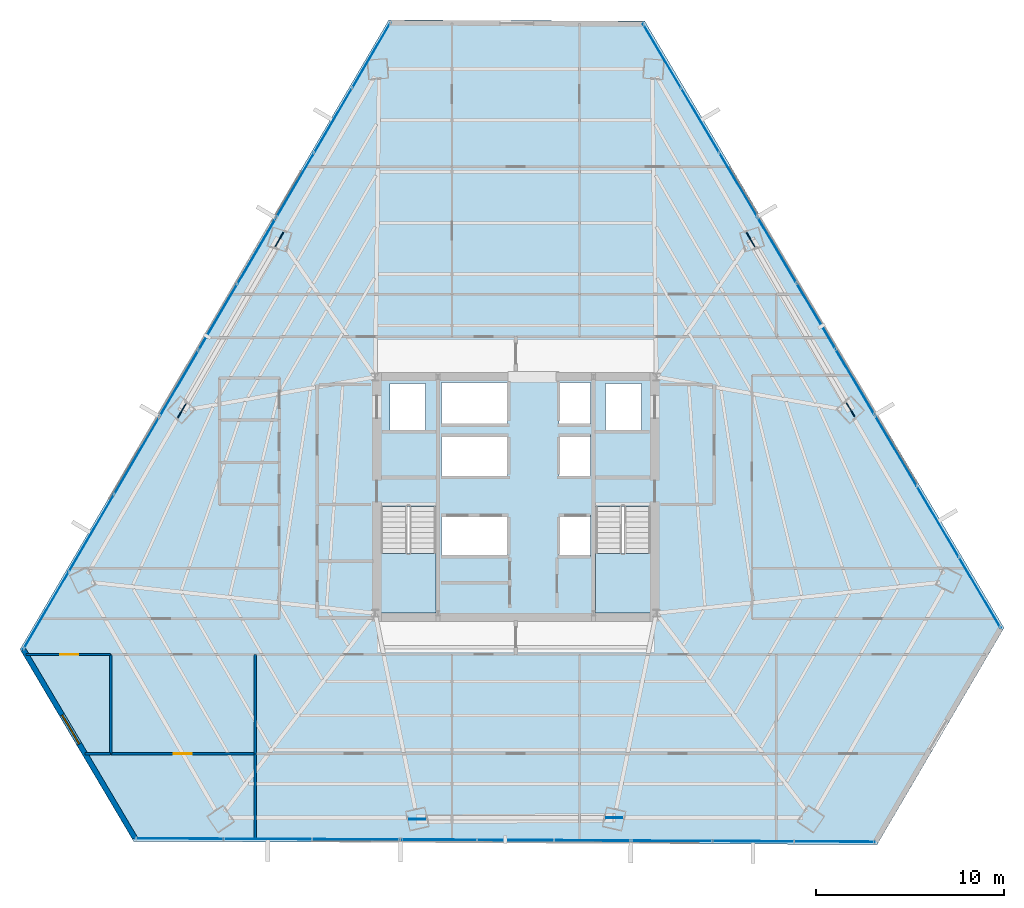
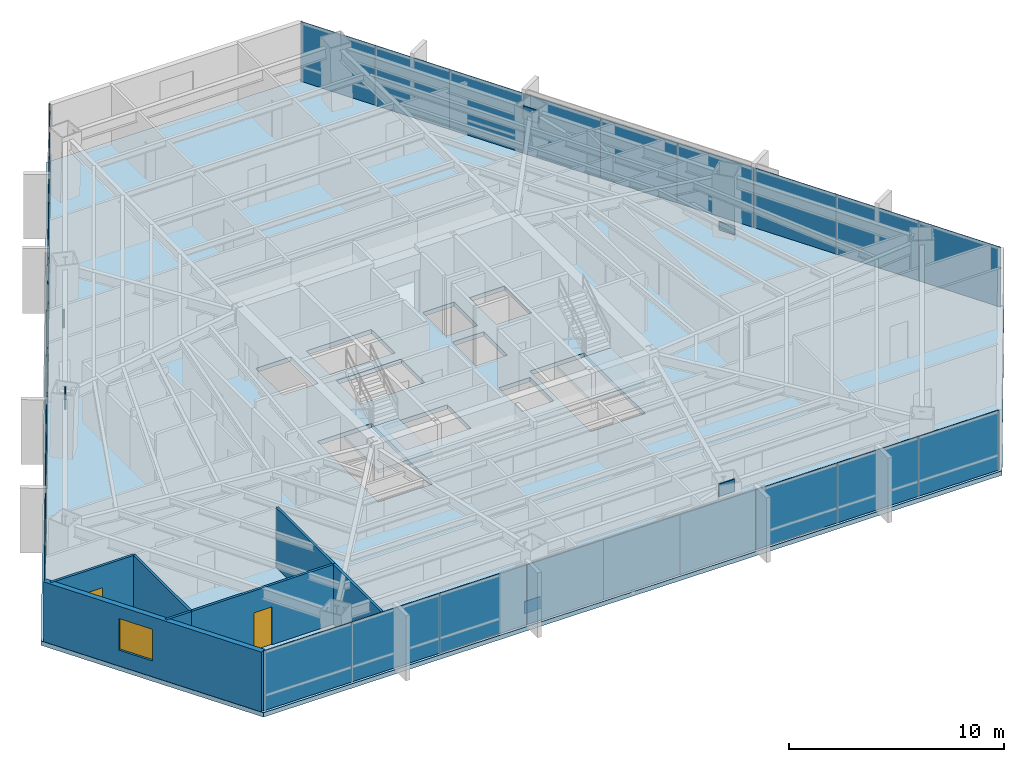
# One storey, part 28 of 35: 33 plates, 7 walls, 3 slabs, 2 doors, 1 window, 3 openings, 11 elements without a shape of their own.
"""IFC4 building model written with IfcOpenShell, lengths in metres."""

from ifc_helpers import new_model, si_unit, direction, frame, frame_2d, origin, origin_2d, place, context, subcontext, project, spatial, polyline, rectangle, outline, extrude, source, transform, mapped, material, layer, layer_set, type_object, type_shapes, element, fill, aggregate, save


model = new_model("IFC4")

# Units and contexts
model_context = context("Model", 3, precision=1e-05, world=origin(), true_north=direction((0.0, 1.0)))
body_context = subcontext(model_context, "Body", "Model", "MODEL_VIEW")
ifc_project = project(units=[si_unit("LENGTHUNIT", "METRE"), si_unit("AREAUNIT", "SQUARE_METRE"), si_unit("VOLUMEUNIT", "CUBIC_METRE"), si_unit("PLANEANGLEUNIT", "RADIAN"), si_unit("MASSUNIT", "GRAM", prefix="KILO")], contexts=[model_context])

# Site, building, storey
site_placement = place(None, origin())
site = spatial("IfcSite", under=ifc_project, at=site_placement, CompositionType="ELEMENT")
building_placement = place(site_placement, origin())
building = spatial("IfcBuilding", under=site, at=building_placement, Name="Caelisora Broadcast Tower", CompositionType="ELEMENT")
storey_placement = place(building_placement, frame((0.0, 0.0, 109.050048828125)))
storey = spatial("IfcBuildingStorey", under=building, at=storey_placement, Name="L28", CompositionType="ELEMENT", Elevation=109.050048828125)

# Slab
ifc_material_1 = material(Name="Concrete 40 MPa (AS 3600 N40)", Category="concrete")
ifc_layer_1 = layer(ifc_material_1, 0.25, Name="Concrete 40 MPa (AS 3600 N40)")
ifc_layer_set_1 = layer_set([ifc_layer_1], Name="Concrete 40 MPa (AS 3600 N40)")
slab_type_1 = type_object("IfcSlabType", Name="SL04", PredefinedType="FLOOR", material=ifc_layer_set_1)
slab_1_placement = place(storey_placement, frame((0.0, 0.0, -0.25)))
element("IfcSlab", 1, at=slab_1_placement, inside=storey, type_object=slab_type_1, Name="L28 suspended floor SL04", PredefinedType="FLOOR", context=body_context, shape_type="SweptSolid", body=[
    extrude(outline(polyline([(44.8798828125, 48.972900390625), (31.22900390625, 49.035888671875), (11.56298828125, 15.469970703125), (17.6201171875, 5.239990234375), (57.26708984375, 5.05810546875), (64.0380859375, 16.614990234375), (44.8798828125, 48.972900390625)]), holes=[polyline([(30.820068359375, 17.39990234375), (33.739990234375, 17.39990234375), (33.739990234375, 23.080078125), (30.820068359375, 23.080078125), (30.820068359375, 17.39990234375)]), polyline([(42.260009765625, 17.39990234375), (45.179931640625, 17.39990234375), (45.179931640625, 23.080078125), (42.260009765625, 23.080078125), (42.260009765625, 17.39990234375)]), polyline([(42.800048828125, 27.14990234375), (44.699951171875, 27.14990234375), (44.699951171875, 29.64990234375), (42.800048828125, 29.64990234375), (42.800048828125, 27.14990234375)]), polyline([(40.300048828125, 20.429931640625), (42.0, 20.429931640625), (42.0, 22.6298828125), (40.300048828125, 22.6298828125), (40.300048828125, 20.429931640625)]), polyline([(40.300048828125, 24.719970703125), (42.0, 24.719970703125), (42.0, 26.919921875), (40.300048828125, 26.919921875), (40.300048828125, 24.719970703125)]), polyline([(40.300048828125, 27.5), (42.0, 27.5), (42.0, 29.699951171875), (40.300048828125, 29.699951171875), (40.300048828125, 27.5)]), polyline([(34.050048828125, 20.429931640625), (37.550048828125, 20.429931640625), (37.550048828125, 22.6298828125), (34.050048828125, 22.6298828125), (34.050048828125, 20.429931640625)]), polyline([(34.050048828125, 24.719970703125), (37.550048828125, 24.719970703125), (37.550048828125, 26.919921875), (34.050048828125, 26.919921875), (34.050048828125, 24.719970703125)]), polyline([(34.050048828125, 27.5), (37.550048828125, 27.5), (37.550048828125, 29.699951171875), (34.050048828125, 29.699951171875), (34.050048828125, 27.5)]), polyline([(31.300048828125, 27.14990234375), (33.199951171875, 27.14990234375), (33.199951171875, 29.64990234375), (31.300048828125, 29.64990234375), (31.300048828125, 27.14990234375)])]), origin(), (0.0, 0.0, 1.0), 0.25),
])

# Stair, slab
stair_type_1 = type_object("IfcStairType", Name="ST-1", PredefinedType="HALF_TURN_STAIR", material=ifc_material_1)
stair_1_placement = place(storey_placement, origin())
stair_1 = element("IfcStair", 2, at=stair_1_placement, inside=storey, type_object=stair_type_1, Name="L28 West Fire-Isolated Tower Stair", PredefinedType="HALF_TURN_STAIR")
ifc_layer_2 = layer(ifc_material_1, 0.199951171875, Name="Concrete 40 MPa (AS 3600 N40)")
ifc_layer_set_2 = layer_set([ifc_layer_2], Name="Concrete 40 MPa (AS 3600 N40)")
slab_type_2 = type_object("IfcSlabType", Name="STL-1", PredefinedType="LANDING", material=ifc_layer_set_2)
slab_2_placement = place(storey_placement, frame((0.0, 0.0, 1.625)))
slab_2 = element("IfcSlab", 3, at=slab_2_placement, type_object=slab_type_2, Name="ST-1 landing 1", PredefinedType="LANDING", context=body_context, shape_type="SweptSolid", body=[
    extrude(outline(polyline([(30.820068359375, 20.580078125), (30.820068359375, 17.39990234375), (33.739990234375, 17.39990234375), (33.739990234375, 20.580078125), (30.820068359375, 20.580078125)])), origin(), (0.0, 0.0, 1.0), 0.199951171875),
])
aggregate(stair_1, [slab_2])

stair_type_2 = type_object("IfcStairType", Name="ST-2", PredefinedType="HALF_TURN_STAIR", material=ifc_material_1)
stair_2_placement = place(storey_placement, origin())
stair_2 = element("IfcStair", 4, at=stair_2_placement, inside=storey, type_object=stair_type_2, Name="L28 East Fire-Isolated Tower Stair", PredefinedType="HALF_TURN_STAIR")
slab_3_placement = place(storey_placement, frame((0.0, 0.0, 1.625)))
slab_3 = element("IfcSlab", 5, at=slab_3_placement, type_object=slab_type_2, Name="ST-2 landing 1", PredefinedType="LANDING", context=body_context, shape_type="SweptSolid", body=[
    extrude(outline(polyline([(42.260009765625, 20.580078125), (42.260009765625, 17.39990234375), (45.179931640625, 17.39990234375), (45.179931640625, 20.580078125), (42.260009765625, 20.580078125)])), origin(), (0.0, 0.0, 1.0), 0.199951171875),
])
aggregate(stair_2, [slab_3])

# Plates
ifc_material_2 = material(Name="Steel Grade 350 L15 (AS/NZS 3678)", Category="steel")
ifc_layer_3 = layer(ifc_material_2, 0.050048828125, Name="Steel Grade 350 L15 (AS/NZS 3678)")
ifc_layer_set_3 = layer_set([ifc_layer_3], Name="Steel Grade 350 L15 (AS/NZS 3678)")
plate_type_1 = type_object("IfcPlateType", Name="GP03", PredefinedType="USERDEFINED", material=ifc_layer_set_3)
shared_shape_1 = source(origin(), body_context, "Body", "SweptSolid", [
    extrude(rectangle(XDim=0.85009765625, YDim=0.050048828125, at=origin_2d()), origin(), (0.0, 0.0, 1.0), 0.699951171875),
])
type_shapes(plate_type_1, [shared_shape_1])
for number, where, z_axis, x_axis, name in (
    (6, (25.39111328125, 37.333984375, -0.22998046875), (0.0, 0.0, 1.0), (-0.5, -0.866025403784, 0.0), "L28 gusset plate GP03 (ND-L28-C02B)"),
    (7, (20.202392578125, 28.202392578125, 2.72998046875), (0.0, 0.0, 1.0), (-0.5, -0.866025403784, 0.0), "L28 gusset plate GP03 (ND-L28-C03T)"),
    (8, (32.7568359375, 6.413330078125, -0.22998046875), (0.0, 0.0, 1.0), (1.0, 0.0, 0.0), "L28 gusset plate GP03 (ND-L28-C06B)"),
    (9, (43.259521484375, 6.485595703125, 2.72998046875), (0.0, 0.0, 1.0), (1.0, 0.0, 0.0), "L28 gusset plate GP03 (ND-L28-C07T)"),
    (10, (55.85205078125, 28.252685546875, -0.22998046875), (0.0, 0.0, 1.0), (-0.5, 0.866025403784, 0.0), "L28 gusset plate GP03 (ND-L28-C10B)"),
    (11, (50.5380859375, 37.31201171875, 2.72998046875), (0.0, 0.0, 1.0), (-0.5, 0.866025403784, 0.0), "L28 gusset plate GP03 (ND-L28-C11T)"),
):
    element("IfcPlate", number, at=place(storey_placement, frame(where, z_axis=z_axis, x_axis=x_axis)), inside=storey, type_object=plate_type_1, Name=name, ObjectType="GUSSET PLATE", PredefinedType="USERDEFINED", context=body_context, shape_type="MappedRepresentation", body=[
        mapped(shared_shape_1, transform((0.0, 0.0, 0.0), scale=1.0)),
    ])

# Curtain wall, plates
ifc_material_3 = material(Name="Unitised Aluminium and Low-E Glass Curtain Wall", Category="glass")
curtain_wall_type_1 = type_object("IfcCurtainWallType", Name="CW-Z2", PredefinedType="NOTDEFINED", material=ifc_material_3)
curtain_wall_1_placement = place(storey_placement, origin())
curtain_wall_1 = element("IfcCurtainWall", 12, at=curtain_wall_1_placement, inside=storey, type_object=curtain_wall_type_1, Name="L28 curtain wall CW-Z2", PredefinedType="NOTDEFINED")
ifc_material_4 = material(Name="Double Glazed Low-E Argon IGU", Category="glass")
ifc_layer_4 = layer(ifc_material_4, 0.033935546875, Name="Double Glazed Low-E Argon IGU")
ifc_layer_set_4 = layer_set([ifc_layer_4], Name="Double Glazed Low-E Argon IGU")
plate_type_2 = type_object("IfcPlateType", Name="CWP-03", PredefinedType="CURTAIN_PANEL", material=ifc_layer_set_4)
shared_shape_2 = source(origin(), body_context, "Body", "SweptSolid", [
    extrude(rectangle(XDim=3.981201171875, YDim=0.033935546875, at=origin_2d()), origin(), (0.0, 0.0, 1.0), 3.39990234375),
])
plate_1_placement = place(storey_placement, frame((45.80810546875, 47.110107421875, 0.0), z_axis=(0.0, 0.0, 1.0), x_axis=(0.509492029423, -0.860475375565, 0.0)))
plate_1 = element("IfcPlate", 13, at=plate_1_placement, type_object=plate_type_2, Name="L28-CW-B01 glazed panel #1", PredefinedType="CURTAIN_PANEL", context=body_context, shape_type="MappedRepresentation", body=[
    mapped(shared_shape_2, transform((0.0, 0.0, 0.0), scale=1.0)),
])
plate_2_placement = place(storey_placement, frame((47.83642578125, 43.684326171875, 0.0), z_axis=(0.0, 0.0, 1.0), x_axis=(0.509492029423, -0.860475375565, 0.0)))
plate_2 = element("IfcPlate", 14, at=plate_2_placement, type_object=plate_type_2, Name="L28-CW-B01 glazed panel #2", PredefinedType="CURTAIN_PANEL", context=body_context, shape_type="MappedRepresentation", body=[
    mapped(shared_shape_2, transform((0.0, 0.0, 0.0), scale=1.0)),
])
plate_3_placement = place(storey_placement, frame((49.864990234375, 40.258544921875, 0.0), z_axis=(0.0, 0.0, 1.0), x_axis=(0.509492029423, -0.860475375565, 0.0)))
plate_3 = element("IfcPlate", 15, at=plate_3_placement, type_object=plate_type_2, Name="L28-CW-B01 glazed panel #3", PredefinedType="CURTAIN_PANEL", context=body_context, shape_type="MappedRepresentation", body=[
    mapped(shared_shape_2, transform((0.0, 0.0, 0.0), scale=1.0)),
])
aggregate(curtain_wall_1, [plate_1, plate_2, plate_3])

ifc_material_5 = material(Name="Unitised Aluminium Insulated Shadow-Box Spandrel Curtain Wall", Category="aluminium")
curtain_wall_type_2 = type_object("IfcCurtainWallType", Name="CW-SP1", PredefinedType="NOTDEFINED", material=ifc_material_5)
curtain_wall_2_placement = place(storey_placement, origin())
curtain_wall_2 = element("IfcCurtainWall", 16, at=curtain_wall_2_placement, inside=storey, type_object=curtain_wall_type_2, Name="L28 curtain wall CW-SP1", PredefinedType="NOTDEFINED")
ifc_material_6 = material(Name="Insulated Terracotta Shadow-Box Spandrel Panel", Category="aluminium")
ifc_layer_5 = layer(ifc_material_6, 0.0439453125, Name="Insulated Terracotta Shadow-Box Spandrel Panel")
ifc_layer_set_5 = layer_set([ifc_layer_5], Name="Insulated Terracotta Shadow-Box Spandrel Panel")
plate_type_3 = type_object("IfcPlateType", Name="CWP-10", PredefinedType="CURTAIN_PANEL", material=ifc_layer_set_5)
shared_shape_3 = source(origin(), body_context, "Body", "SweptSolid", [
    extrude(rectangle(XDim=4.091796875, YDim=0.0439453125, at=origin_2d()), origin(), (0.0, 0.0, 1.0), 3.39990234375),
])
plate_4_placement = place(storey_placement, frame((51.926513671875, 36.776611328125, 0.0), z_axis=(0.0, 0.0, 1.0), x_axis=(0.509492029423, -0.860475375565, 0.0)))
plate_4 = element("IfcPlate", 17, at=plate_4_placement, type_object=plate_type_3, Name="L28-CW-B02 spandrel panel #1", PredefinedType="CURTAIN_PANEL", context=body_context, shape_type="MappedRepresentation", body=[
    mapped(shared_shape_3, transform((0.0, 0.0, 0.0), scale=1.0)),
])
plate_5_placement = place(storey_placement, frame((54.01123046875, 33.255615234375, 0.0), z_axis=(0.0, 0.0, 1.0), x_axis=(0.509492029423, -0.860475375565, 0.0)))
plate_5 = element("IfcPlate", 18, at=plate_5_placement, type_object=plate_type_3, Name="L28-CW-B02 spandrel panel #2", PredefinedType="CURTAIN_PANEL", context=body_context, shape_type="MappedRepresentation", body=[
    mapped(shared_shape_3, transform((0.0, 0.0, 0.0), scale=1.0)),
])
plate_6_placement = place(storey_placement, frame((56.095947265625, 29.734619140625, 0.0), z_axis=(0.0, 0.0, 1.0), x_axis=(0.509492029423, -0.860475375565, 0.0)))
plate_6 = element("IfcPlate", 19, at=plate_6_placement, type_object=plate_type_3, Name="L28-CW-B02 spandrel panel #3", PredefinedType="CURTAIN_PANEL", context=body_context, shape_type="MappedRepresentation", body=[
    mapped(shared_shape_3, transform((0.0, 0.0, 0.0), scale=1.0)),
])
aggregate(curtain_wall_2, [plate_4, plate_5, plate_6])

curtain_wall_3_placement = place(storey_placement, origin())
curtain_wall_3 = element("IfcCurtainWall", 20, at=curtain_wall_3_placement, inside=storey, type_object=curtain_wall_type_1, Name="L28 curtain wall CW-Z2", PredefinedType="NOTDEFINED")
shared_shape_4 = source(origin(), body_context, "Body", "SweptSolid", [
    extrude(rectangle(XDim=4.39697265625, YDim=0.033935546875, at=origin_2d()), origin(), (0.0, 0.0, 1.0), 3.39990234375),
])
plate_7_placement = place(storey_placement, frame((58.263427734375, 26.07373046875, 0.0), z_axis=(0.0, 0.0, 1.0), x_axis=(0.509492029423, -0.860475375565, 0.0)))
plate_7 = element("IfcPlate", 21, at=plate_7_placement, type_object=plate_type_2, Name="L28-CW-B03 glazed panel #1", PredefinedType="CURTAIN_PANEL", context=body_context, shape_type="MappedRepresentation", body=[
    mapped(shared_shape_4, transform((0.0, 0.0, 0.0), scale=1.0)),
])
plate_8_placement = place(storey_placement, frame((60.503662109375, 22.290283203125, 0.0), z_axis=(0.0, 0.0, 1.0), x_axis=(0.509492029423, -0.860475375565, 0.0)))
plate_8 = element("IfcPlate", 22, at=plate_8_placement, type_object=plate_type_2, Name="L28-CW-B03 glazed panel #2", PredefinedType="CURTAIN_PANEL", context=body_context, shape_type="MappedRepresentation", body=[
    mapped(shared_shape_4, transform((0.0, 0.0, 0.0), scale=1.0)),
])
plate_9_placement = place(storey_placement, frame((62.743896484375, 18.5068359375, 0.0), z_axis=(0.0, 0.0, 1.0), x_axis=(0.509492029423, -0.860475375565, 0.0)))
plate_9 = element("IfcPlate", 23, at=plate_9_placement, type_object=plate_type_2, Name="L28-CW-B03 glazed panel #3", PredefinedType="CURTAIN_PANEL", context=body_context, shape_type="MappedRepresentation", body=[
    mapped(shared_shape_4, transform((0.0, 0.0, 0.0), scale=1.0)),
])
aggregate(curtain_wall_3, [plate_7, plate_8, plate_9])

curtain_wall_4_placement = place(storey_placement, origin())
curtain_wall_4 = element("IfcCurtainWall", 24, at=curtain_wall_4_placement, inside=storey, type_object=curtain_wall_type_1, Name="L28 curtain wall CW-Z2", PredefinedType="NOTDEFINED")
shared_shape_5 = source(origin(), body_context, "Body", "SweptSolid", [
    extrude(rectangle(XDim=4.34619140625, YDim=0.033935546875, at=origin_2d()), origin(), (0.0, 0.0, 1.0), 3.39990234375),
])
plate_10_placement = place(storey_placement, frame((55.008056640625, 5.218017578125, 0.0), z_axis=(0.0, 0.0, 1.0), x_axis=(-0.999989703949, 0.004537840481, 0.0)))
plate_10 = element("IfcPlate", 25, at=plate_10_placement, type_object=plate_type_2, Name="L28-CW-B05 glazed panel #1", PredefinedType="CURTAIN_PANEL", context=body_context, shape_type="MappedRepresentation", body=[
    mapped(shared_shape_5, transform((0.0, 0.0, 0.0), scale=1.0)),
])
plate_11_placement = place(storey_placement, frame((50.661865234375, 5.238037109375, 0.0), z_axis=(0.0, 0.0, 1.0), x_axis=(-0.999989703949, 0.004537840481, 0.0)))
plate_11 = element("IfcPlate", 26, at=plate_11_placement, type_object=plate_type_2, Name="L28-CW-B05 glazed panel #2", PredefinedType="CURTAIN_PANEL", context=body_context, shape_type="MappedRepresentation", body=[
    mapped(shared_shape_5, transform((0.0, 0.0, 0.0), scale=1.0)),
])
plate_12_placement = place(storey_placement, frame((46.31591796875, 5.258056640625, 0.0), z_axis=(0.0, 0.0, 1.0), x_axis=(-0.999989703949, 0.004537840481, 0.0)))
plate_12 = element("IfcPlate", 27, at=plate_12_placement, type_object=plate_type_2, Name="L28-CW-B05 glazed panel #3", PredefinedType="CURTAIN_PANEL", context=body_context, shape_type="MappedRepresentation", body=[
    mapped(shared_shape_5, transform((0.0, 0.0, 0.0), scale=1.0)),
])
aggregate(curtain_wall_4, [plate_10, plate_11, plate_12])

curtain_wall_5_placement = place(storey_placement, origin())
curtain_wall_5 = element("IfcCurtainWall", 28, at=curtain_wall_5_placement, inside=storey, type_object=curtain_wall_type_2, Name="L28 curtain wall CW-SP1", PredefinedType="NOTDEFINED")
shared_shape_6 = source(origin(), body_context, "Body", "SweptSolid", [
    extrude(rectangle(XDim=4.092041015625, YDim=0.0439453125, at=origin_2d()), origin(), (0.0, 0.0, 1.0), 3.39990234375),
])
type_shapes(plate_type_3, [shared_shape_3, shared_shape_6])
plate_13_placement = place(storey_placement, frame((42.0869140625, 5.277587890625, 0.0), z_axis=(0.0, 0.0, 1.0), x_axis=(-0.999989703949, 0.004537840481, 0.0)))
plate_13 = element("IfcPlate", 29, at=plate_13_placement, type_object=plate_type_3, Name="L28-CW-B06 spandrel panel #1", PredefinedType="CURTAIN_PANEL", context=body_context, shape_type="MappedRepresentation", body=[
    mapped(shared_shape_6, transform((0.0, 0.0, 0.0), scale=1.0)),
])
plate_14_placement = place(storey_placement, frame((37.994873046875, 5.29638671875, 0.0), z_axis=(0.0, 0.0, 1.0), x_axis=(-0.999989703949, 0.004537840481, 0.0)))
plate_14 = element("IfcPlate", 30, at=plate_14_placement, type_object=plate_type_3, Name="L28-CW-B06 spandrel panel #2", PredefinedType="CURTAIN_PANEL", context=body_context, shape_type="MappedRepresentation", body=[
    mapped(shared_shape_6, transform((0.0, 0.0, 0.0), scale=1.0)),
])
plate_15_placement = place(storey_placement, frame((33.90283203125, 5.315185546875, 0.0), z_axis=(0.0, 0.0, 1.0), x_axis=(-0.999989703949, 0.004537840481, 0.0)))
plate_15 = element("IfcPlate", 31, at=plate_15_placement, type_object=plate_type_3, Name="L28-CW-B06 spandrel panel #3", PredefinedType="CURTAIN_PANEL", context=body_context, shape_type="MappedRepresentation", body=[
    mapped(shared_shape_6, transform((0.0, 0.0, 0.0), scale=1.0)),
])
aggregate(curtain_wall_5, [plate_13, plate_14, plate_15])

curtain_wall_6_placement = place(storey_placement, origin())
curtain_wall_6 = element("IfcCurtainWall", 32, at=curtain_wall_6_placement, inside=storey, type_object=curtain_wall_type_2, Name="L28 curtain wall CW-SP1", PredefinedType="NOTDEFINED")
plate_16_placement = place(storey_placement, frame((20.043701171875, 29.647705078125, 0.0), z_axis=(0.0, 0.0, 1.0), x_axis=(0.505582083675, 0.862778509623, 0.0)))
plate_16 = element("IfcPlate", 33, at=plate_16_placement, type_object=plate_type_3, Name="L28-CW-B10 spandrel panel #1", PredefinedType="CURTAIN_PANEL", context=body_context, shape_type="MappedRepresentation", body=[
    mapped(shared_shape_6, transform((0.0, 0.0, 0.0), scale=1.0)),
])
plate_17_placement = place(storey_placement, frame((22.1123046875, 33.178466796875, 0.0), z_axis=(0.0, 0.0, 1.0), x_axis=(0.505582083675, 0.862778509623, 0.0)))
plate_17 = element("IfcPlate", 34, at=plate_17_placement, type_object=plate_type_3, Name="L28-CW-B10 spandrel panel #2", PredefinedType="CURTAIN_PANEL", context=body_context, shape_type="MappedRepresentation", body=[
    mapped(shared_shape_6, transform((0.0, 0.0, 0.0), scale=1.0)),
])
plate_18_placement = place(storey_placement, frame((24.1806640625, 36.708984375, 0.0), z_axis=(0.0, 0.0, 1.0), x_axis=(0.505582083675, 0.862778509623, 0.0)))
plate_18 = element("IfcPlate", 35, at=plate_18_placement, type_object=plate_type_3, Name="L28-CW-B10 spandrel panel #3", PredefinedType="CURTAIN_PANEL", context=body_context, shape_type="MappedRepresentation", body=[
    mapped(shared_shape_6, transform((0.0, 0.0, 0.0), scale=1.0)),
])
aggregate(curtain_wall_6, [plate_16, plate_17, plate_18])

curtain_wall_7_placement = place(storey_placement, origin())
curtain_wall_7 = element("IfcCurtainWall", 36, at=curtain_wall_7_placement, inside=storey, type_object=curtain_wall_type_1, Name="L28 curtain wall CW-Z2", PredefinedType="NOTDEFINED")
shared_shape_7 = source(origin(), body_context, "Body", "SweptSolid", [
    extrude(rectangle(XDim=4.713623046875, YDim=0.033935546875, at=origin_2d()), origin(), (0.0, 0.0, 1.0), 3.39990234375),
])
plate_19_placement = place(storey_placement, frame((29.489990234375, 5.335693359375, 0.0), z_axis=(0.0, 0.0, 1.0), x_axis=(-0.999989703949, 0.004537840481, 0.0)))
plate_19 = element("IfcPlate", 37, at=plate_19_placement, type_object=plate_type_2, Name="L28-CW-B07 glazed panel #1", PredefinedType="CURTAIN_PANEL", context=body_context, shape_type="MappedRepresentation", body=[
    mapped(shared_shape_7, transform((0.0, 0.0, 0.0), scale=1.0)),
])
plate_20_placement = place(storey_placement, frame((24.7763671875, 5.357421875, 0.0), z_axis=(0.0, 0.0, 1.0), x_axis=(-0.999989703949, 0.004537840481, 0.0)))
plate_20 = element("IfcPlate", 38, at=plate_20_placement, type_object=plate_type_2, Name="L28-CW-B07 glazed panel #2", PredefinedType="CURTAIN_PANEL", context=body_context, shape_type="MappedRepresentation", body=[
    mapped(shared_shape_7, transform((0.0, 0.0, 0.0), scale=1.0)),
])
plate_21_placement = place(storey_placement, frame((20.062744140625, 5.379150390625, 0.0), z_axis=(0.0, 0.0, 1.0), x_axis=(-0.999989703949, 0.004537840481, 0.0)))
plate_21 = element("IfcPlate", 39, at=plate_21_placement, type_object=plate_type_2, Name="L28-CW-B07 glazed panel #3", PredefinedType="CURTAIN_PANEL", context=body_context, shape_type="MappedRepresentation", body=[
    mapped(shared_shape_7, transform((0.0, 0.0, 0.0), scale=1.0)),
])
aggregate(curtain_wall_7, [plate_19, plate_20, plate_21])

curtain_wall_8_placement = place(storey_placement, origin())
curtain_wall_8 = element("IfcCurtainWall", 40, at=curtain_wall_8_placement, inside=storey, type_object=curtain_wall_type_1, Name="L28 curtain wall CW-Z2", PredefinedType="NOTDEFINED")
shared_shape_8 = source(origin(), body_context, "Body", "SweptSolid", [
    extrude(rectangle(XDim=4.7919921875, YDim=0.033935546875, at=origin_2d()), origin(), (0.0, 0.0, 1.0), 3.39990234375),
])
plate_22_placement = place(storey_placement, frame((12.9482421875, 17.537353515625, 0.0), z_axis=(0.0, 0.0, 1.0), x_axis=(0.505582083675, 0.862778509623, 0.0)))
plate_22 = element("IfcPlate", 41, at=plate_22_placement, type_object=plate_type_2, Name="L28-CW-B09 glazed panel #1", PredefinedType="CURTAIN_PANEL", context=body_context, shape_type="MappedRepresentation", body=[
    mapped(shared_shape_8, transform((0.0, 0.0, 0.0), scale=1.0)),
])
plate_23_placement = place(storey_placement, frame((15.37060546875, 21.671875, 0.0), z_axis=(0.0, 0.0, 1.0), x_axis=(0.505582083675, 0.862778509623, 0.0)))
plate_23 = element("IfcPlate", 42, at=plate_23_placement, type_object=plate_type_2, Name="L28-CW-B09 glazed panel #2", PredefinedType="CURTAIN_PANEL", context=body_context, shape_type="MappedRepresentation", body=[
    mapped(shared_shape_8, transform((0.0, 0.0, 0.0), scale=1.0)),
])
plate_24_placement = place(storey_placement, frame((17.79296875, 25.806396484375, 0.0), z_axis=(0.0, 0.0, 1.0), x_axis=(0.505582083675, 0.862778509623, 0.0)))
plate_24 = element("IfcPlate", 43, at=plate_24_placement, type_object=plate_type_2, Name="L28-CW-B09 glazed panel #3", PredefinedType="CURTAIN_PANEL", context=body_context, shape_type="MappedRepresentation", body=[
    mapped(shared_shape_8, transform((0.0, 0.0, 0.0), scale=1.0)),
])
aggregate(curtain_wall_8, [plate_22, plate_23, plate_24])

curtain_wall_9_placement = place(storey_placement, origin())
curtain_wall_9 = element("IfcCurtainWall", 44, at=curtain_wall_9_placement, inside=storey, type_object=curtain_wall_type_1, Name="L28 curtain wall CW-Z2", PredefinedType="NOTDEFINED")
shared_shape_9 = source(origin(), body_context, "Body", "SweptSolid", [
    extrude(rectangle(XDim=4.01904296875, YDim=0.033935546875, at=origin_2d()), origin(), (0.0, 0.0, 1.0), 3.39990234375),
])
type_shapes(plate_type_2, [shared_shape_2, shared_shape_4, shared_shape_5, shared_shape_7, shared_shape_8, shared_shape_9])
plate_25_placement = place(storey_placement, frame((26.23583984375, 40.216796875, 0.0), z_axis=(0.0, 0.0, 1.0), x_axis=(0.505582083675, 0.862778509623, 0.0)))
plate_25 = element("IfcPlate", 45, at=plate_25_placement, type_object=plate_type_2, Name="L28-CW-B11 glazed panel #1", PredefinedType="CURTAIN_PANEL", context=body_context, shape_type="MappedRepresentation", body=[
    mapped(shared_shape_9, transform((0.0, 0.0, 0.0), scale=1.0)),
])
plate_26_placement = place(storey_placement, frame((28.267578125, 43.6845703125, 0.0), z_axis=(0.0, 0.0, 1.0), x_axis=(0.505582083675, 0.862778509623, 0.0)))
plate_26 = element("IfcPlate", 46, at=plate_26_placement, type_object=plate_type_2, Name="L28-CW-B11 glazed panel #2", PredefinedType="CURTAIN_PANEL", context=body_context, shape_type="MappedRepresentation", body=[
    mapped(shared_shape_9, transform((0.0, 0.0, 0.0), scale=1.0)),
])
plate_27_placement = place(storey_placement, frame((30.29931640625, 47.152099609375, 0.0), z_axis=(0.0, 0.0, 1.0), x_axis=(0.505582083675, 0.862778509623, 0.0)))
plate_27 = element("IfcPlate", 47, at=plate_27_placement, type_object=plate_type_2, Name="L28-CW-B11 glazed panel #3", PredefinedType="CURTAIN_PANEL", context=body_context, shape_type="MappedRepresentation", body=[
    mapped(shared_shape_9, transform((0.0, 0.0, 0.0), scale=1.0)),
])
aggregate(curtain_wall_9, [plate_25, plate_26, plate_27])

# Wall, opening, window
ifc_material_7 = material(Name="Insulated Terracotta Spandrel Wall System", Category="masonry")
ifc_layer_6 = layer(ifc_material_7, 0.280029296875, Name="Insulated Terracotta Spandrel Wall System")
ifc_layer_set_6 = layer_set([ifc_layer_6], Name="Insulated Terracotta Spandrel Wall System")
wall_type_1 = type_object("IfcWallType", Name="EW1", PredefinedType="STANDARD", material=ifc_layer_set_6)
wall_1_placement = place(storey_placement, frame((17.690673828125, 5.415771484375, 0.0), z_axis=(0.0, 0.0, 1.0), x_axis=(-0.509533638462, 0.860450737274, 0.0)))
wall_1 = element("IfcWall", 48, at=wall_1_placement, inside=storey, type_object=wall_type_1, Name="L28 exterior envelope wall EW1", PredefinedType="STANDARD", context=body_context, shape_type="SweptSolid", body=[
    extrude(rectangle(XDim=11.65478515625, YDim=0.280029296875, at=frame_2d((5.827392578125, 0.0))), origin(), (0.0, 0.0, 1.0), 3.39990234375),
])
opening_1_placement = place(wall_1_placement, frame((5.830078125, 0.0, 0.89990234375)))
opening_1 = element("IfcOpeningElement", 49, at=opening_1_placement, cuts=wall_1, Name="Opening W01", PredefinedType="OPENING", context=body_context, shape_type="SweptSolid", body=[
    extrude(rectangle(XDim=1.800048828125, YDim=1.800048828125, at=frame_2d((0.89990234375, 0.89990234375))), frame((0.0, 0.152099609375, 0.0), z_axis=(0.0, -1.0, 0.0), x_axis=(1.0, 0.0, 0.0)), (0.0, 0.0, 1.0), 0.303955078125),
])
ifc_material_8 = material(Name="Double Glazed Terracotta-Framed Vision Window", Category="glass")
window_type = type_object("IfcWindowType", Name="W01", PartitioningType="SINGLE_PANEL", PredefinedType="WINDOW", material=ifc_material_8)
window_placement = place(opening_1_placement, origin())
window = element("IfcWindow", 50, at=window_placement, inside=storey, type_object=window_type, Name="L28 window W01 (L28-WN-CH4)", OverallHeight=1.800048828125, OverallWidth=1.800048828125, PartitioningType="SINGLE_PANEL", PredefinedType="WINDOW", context=body_context, shape_type="SweptSolid", body=[
    extrude(rectangle(XDim=1.800048828125, YDim=1.800048828125, at=frame_2d((0.89990234375, 0.89990234375))), frame((0.0, 0.030029296875, 0.0), z_axis=(0.0, -1.0, 0.0), x_axis=(1.0, 0.0, 0.0)), (0.0, 0.0, 1.0), 0.06005859375),
])
fill(opening_1, window)

# Wall, opening, door
ifc_material_9 = material(Name="Acoustic Steel-Stud Plasterboard Partition", Category="gypsum")
ifc_layer_7 = layer(ifc_material_9, 0.1298828125, Name="Acoustic Steel-Stud Plasterboard Partition")
ifc_layer_set_7 = layer_set([ifc_layer_7], Name="Acoustic Steel-Stud Plasterboard Partition")
wall_type_2 = type_object("IfcWallType", Name="PW3", PredefinedType="PARTITIONING", material=ifc_layer_set_7)
wall_2_placement = place(storey_placement, frame((16.405029296875, 9.89990234375, 0.0), z_axis=(0.0, 0.0, 1.0), x_axis=(1.0, 0.0, 0.0)))
wall_2 = element("IfcWall", 51, at=wall_2_placement, inside=storey, type_object=wall_type_2, Name="L28 internal partition PW3", PredefinedType="PARTITIONING", context=body_context, shape_type="SweptSolid", body=[
    extrude(rectangle(XDim=7.68994140625, YDim=0.1298828125, at=frame_2d((3.844970703125, 0.0))), origin(), (0.0, 0.0, 1.0), 3.39990234375),
])
opening_2_placement = place(wall_2_placement, frame((3.364990234375, 0.0, 0.0)))
opening_2 = element("IfcOpeningElement", 52, at=opening_2_placement, cuts=wall_2, Name="Opening D01", PredefinedType="OPENING", context=body_context, shape_type="SweptSolid", body=[
    extrude(rectangle(XDim=0.9599609375, YDim=2.14990234375, at=frame_2d((0.47998046875, 1.074951171875))), frame((0.0, 0.076904296875, 0.0), z_axis=(0.0, -1.0, 0.0), x_axis=(1.0, 0.0, 0.0)), (0.0, 0.0, 1.0), 0.15380859375),
])
ifc_material_10 = material(Name="Solid-Core Timber Acoustic Office Door", Category="wood")
door_type = type_object("IfcDoorType", Name="D01", OperationType="NOTDEFINED", PredefinedType="DOOR", material=ifc_material_10)
door_1_placement = place(opening_2_placement, origin())
door_1 = element("IfcDoor", 53, at=door_1_placement, inside=storey, type_object=door_type, Name="L28 door D01 (L28-DR-P47D1)", OperationType="SINGLE_SWING_LEFT", OverallHeight=2.14990234375, OverallWidth=0.9599609375, PredefinedType="DOOR", context=body_context, shape_type="SweptSolid", body=[
    extrude(rectangle(XDim=0.9599609375, YDim=2.14990234375, at=frame_2d((0.47998046875, 1.074951171875))), frame((0.0, 0.02490234375, 0.0), z_axis=(0.0, -1.0, 0.0), x_axis=(1.0, 0.0, 0.0)), (0.0, 0.0, 1.0), 0.050048828125),
])
fill(opening_2, door_1)

# Walls
for number, where, z_axis, x_axis, name in (
    (54, (16.39990234375, 9.905029296875, 0.0), (0.0, 0.0, 1.0), (0.0, 1.0, 0.0), "L28 internal partition PW3"),
    (55, (24.10009765625, 9.905029296875, 0.0), (0.0, 0.0, 1.0), (0.0, 1.0, 0.0), "L28 internal partition PW3"),
):
    element("IfcWall", number, at=place(storey_placement, frame(where, z_axis=z_axis, x_axis=x_axis)), inside=storey, type_object=wall_type_2, Name=name, PredefinedType="PARTITIONING", context=body_context, shape_type="SweptSolid", body=[
        extrude(rectangle(XDim=5.2900390625, YDim=0.1298828125, at=frame_2d((2.64501953125, 0.0))), origin(), (0.0, 0.0, 1.0), 3.39990234375),
    ])
wall_3_placement = place(storey_placement, frame((24.10009765625, 5.355224609375, 0.0), z_axis=(0.0, 0.0, 1.0), x_axis=(0.0, 1.0, 0.0)))
element("IfcWall", 56, at=wall_3_placement, inside=storey, type_object=wall_type_2, Name="L28 internal partition PW3", PredefinedType="PARTITIONING", context=body_context, shape_type="SweptSolid", body=[
    extrude(rectangle(XDim=4.539794921875, YDim=0.1298828125, at=frame_2d((2.27001953125, 0.0))), origin(), (0.0, 0.0, 1.0), 3.39990234375),
])

# Wall, opening, door
wall_4_placement = place(storey_placement, frame((11.891357421875, 15.199951171875, 0.0), z_axis=(0.0, 0.0, 1.0), x_axis=(1.0, 0.0, 0.0)))
wall_4 = element("IfcWall", 57, at=wall_4_placement, inside=storey, type_object=wall_type_2, Name="L28 internal partition PW3", PredefinedType="PARTITIONING", context=body_context, shape_type="SweptSolid", body=[
    extrude(rectangle(XDim=4.503662109375, YDim=0.1298828125, at=frame_2d((2.251953125, 0.0))), origin(), (0.0, 0.0, 1.0), 3.39990234375),
])
opening_3_placement = place(wall_4_placement, frame((1.827880859375, 0.0, 0.0)))
opening_3 = element("IfcOpeningElement", 58, at=opening_3_placement, cuts=wall_4, Name="Opening D01", PredefinedType="OPENING", context=body_context, shape_type="SweptSolid", body=[
    extrude(rectangle(XDim=0.9599609375, YDim=2.14990234375, at=frame_2d((0.47998046875, 1.074951171875))), frame((0.0, 0.076904296875, 0.0), z_axis=(0.0, -1.0, 0.0), x_axis=(1.0, 0.0, 0.0)), (0.0, 0.0, 1.0), 0.15380859375),
])
door_2_placement = place(opening_3_placement, origin())
door_2 = element("IfcDoor", 59, at=door_2_placement, inside=storey, type_object=door_type, Name="L28 door D01 (L28-DR-P64D1)", OperationType="SINGLE_SWING_RIGHT", OverallHeight=2.14990234375, OverallWidth=0.9599609375, PredefinedType="DOOR", context=body_context, shape_type="SweptSolid", body=[
    extrude(rectangle(XDim=0.9599609375, YDim=2.14990234375, at=frame_2d((0.47998046875, 1.074951171875))), frame((0.0, 0.02490234375, 0.0), z_axis=(0.0, -1.0, 0.0), x_axis=(1.0, 0.0, 0.0)), (0.0, 0.0, 1.0), 0.050048828125),
])
fill(opening_3, door_2)

# Wall
wall_5_placement = place(storey_placement, frame((15.029296875, 9.89990234375, 0.0), z_axis=(0.0, 0.0, 1.0), x_axis=(1.0, 0.0, 0.0)))
element("IfcWall", 60, at=wall_5_placement, inside=storey, type_object=wall_type_2, Name="L28 internal partition PW3", PredefinedType="PARTITIONING", context=body_context, shape_type="SweptSolid", body=[
    extrude(rectangle(XDim=1.36572265625, YDim=0.1298828125, at=frame_2d((0.682861328125, 0.0))), origin(), (0.0, 0.0, 1.0), 3.39990234375),
])

save(model, "model.ifc")
